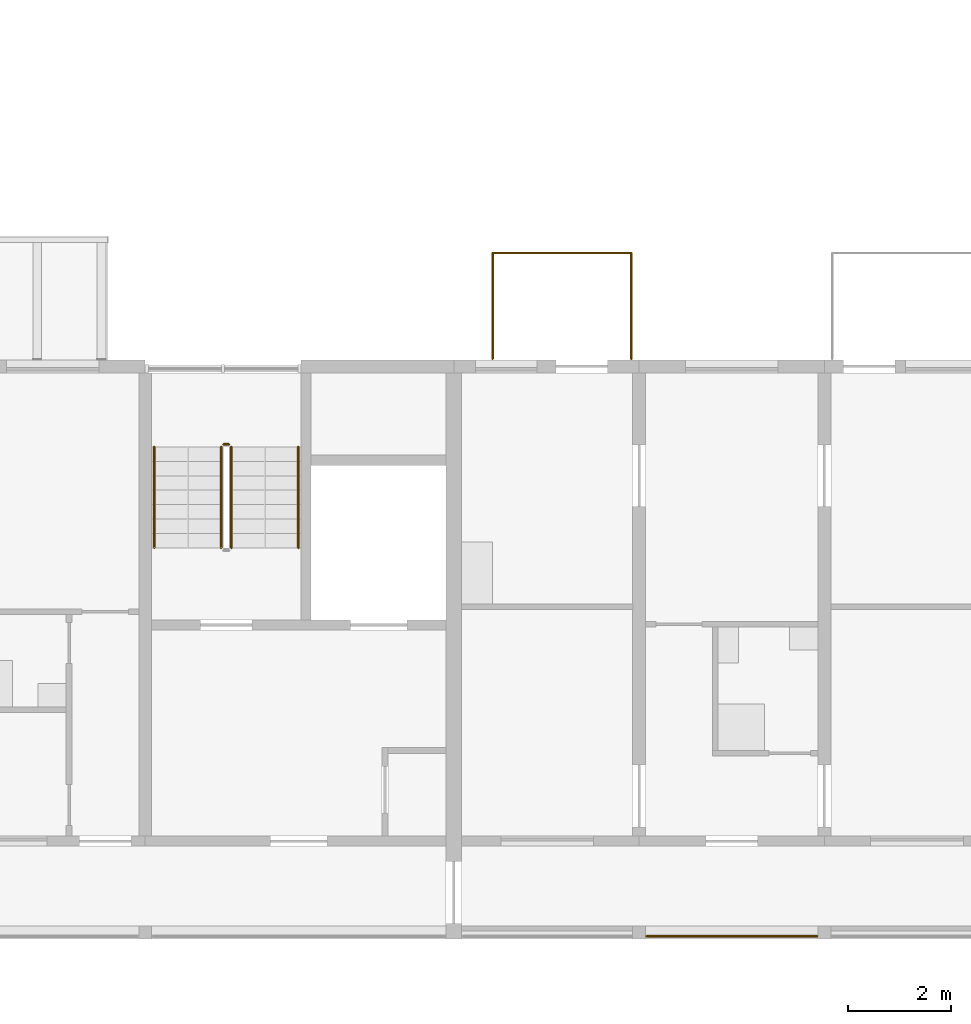
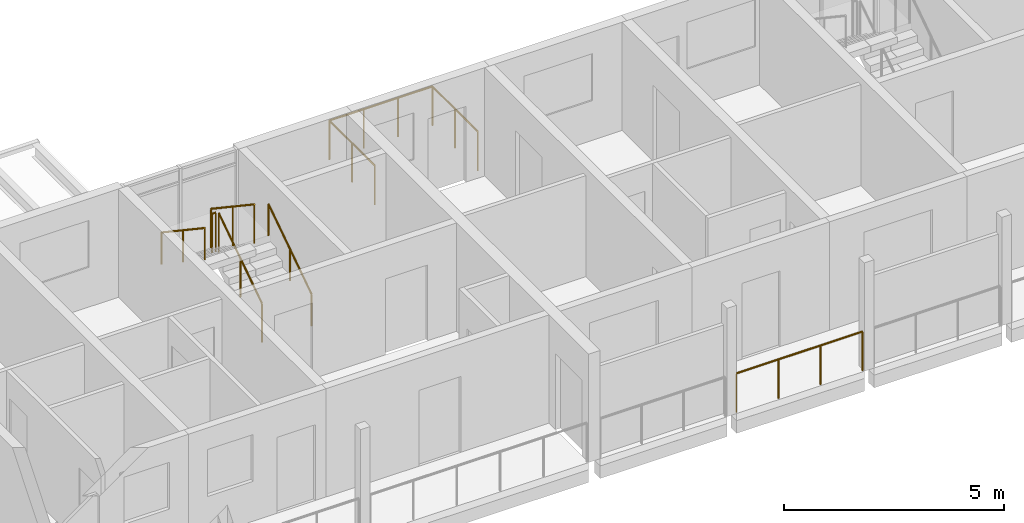
# One storey, part 88 of 100: 7 railings.
"""IFC4 building model written with IfcOpenShell, lengths in metres."""

import ifcopenshell
import ifcopenshell.guid

model = None  # the IFC model being written
_history = None  # IfcOwnerHistory: only IFC2X3 demands one
_inside = {}  # id of a spatial element -> (the spatial element, [elements in it])
_under = {}  # id of a project, library or spatial element -> (it, [spatial elements below it])
_declared = {}  # id of a project -> (the project, [libraries it declares])
_typed = {}  # id of a type object -> (the type object, [elements of that type])
_made_of = {}  # id of a material, layer set ... -> (it, [elements and type objects made of it])


def new_model(schema):
    """Start an empty IFC model of exactly this schema.

    Asked for "IFC4X3", IfcOpenShell would pick the latest addendum, in which some entities
    have other attributes; the version numbers below select the first issue.
    IFC2X3 requires an IfcOwnerHistory on every rooted entity: one is made here for all.
    """
    global model, _history
    if schema == "IFC4X3":
        model = ifcopenshell.file(schema_version=(4, 3, 0, 0))
    else:
        model = ifcopenshell.file(schema=schema)
    _inside.clear()
    _under.clear()
    _declared.clear()
    _typed.clear()
    _made_of.clear()
    _history = None
    if model.schema == "IFC2X3":
        org = make("IfcOrganization", Name="unknown")
        user = make(
            "IfcPersonAndOrganization",
            ThePerson=make("IfcPerson", FamilyName="unknown"),
            TheOrganization=org,
        )
        app = make(
            "IfcApplication",
            ApplicationDeveloper=org,
            Version="unknown",
            ApplicationFullName="unknown",
            ApplicationIdentifier="unknown",
        )
        _history = make(
            "IfcOwnerHistory",
            OwningUser=user,
            OwningApplication=app,
            ChangeAction="ADDED",
            CreationDate=0,
        )
    return model


def make(cls, **values):
    """One entity of the class cls with the attributes given. An attribute that is None is left unset."""
    return model.create_entity(
        cls, **{name: value for name, value in values.items() if value is not None}
    )


def rooted(cls, **values):
    """An entity with a GlobalId (a new one), such as an element, a storey or a relation."""
    return make(cls, GlobalId=ifcopenshell.guid.new(), OwnerHistory=_history, **values)


def si_unit(unit_type, name, prefix=None):
    """IfcSIUnit, for example si_unit("LENGTHUNIT", "METRE", prefix="MILLI")."""
    return make("IfcSIUnit", UnitType=unit_type, Prefix=prefix, Name=name)


def assignment(units):
    """IfcUnitAssignment: the units of a project."""
    return None if units is None else make("IfcUnitAssignment", Units=units)


def point(xyz):
    """IfcCartesianPoint."""
    return None if xyz is None else make("IfcCartesianPoint", Coordinates=xyz)


def direction(xyz):
    """IfcDirection."""
    return None if xyz is None else make("IfcDirection", DirectionRatios=xyz)


def frame(location, z_axis=None, x_axis=None):
    """IfcAxis2Placement3D, a coordinate frame: its origin and axes. An axis left out is left unset."""
    return make(
        "IfcAxis2Placement3D",
        Location=point(location),
        Axis=direction(z_axis),
        RefDirection=direction(x_axis),
    )


def frame_2d(location, x_axis=None):
    """IfcAxis2Placement2D, a coordinate frame in the plane: its origin and x axis."""
    return make(
        "IfcAxis2Placement2D", Location=point(location), RefDirection=direction(x_axis)
    )


def origin():
    """The frame at (0, 0, 0) with its axes left unset."""
    return frame((0.0, 0.0, 0.0))


def origin_2d():
    """The frame at (0, 0) in the plane with its x axis left unset."""
    return frame_2d((0.0, 0.0))


def place(relative_to, where):
    """IfcLocalPlacement: puts the frame where relative to a parent placement (None: the world)."""
    return make(
        "IfcLocalPlacement", PlacementRelTo=relative_to, RelativePlacement=where
    )


def context(
    kind, dimensions, precision=None, world=None, true_north=None, identifier=None
):
    """IfcGeometricRepresentationContext, for example the 3D "Model" context."""
    return make(
        "IfcGeometricRepresentationContext",
        ContextIdentifier=identifier,
        ContextType=kind,
        CoordinateSpaceDimension=dimensions,
        Precision=precision,
        WorldCoordinateSystem=world,
        TrueNorth=true_north,
    )


def subcontext(parent, identifier, kind, view, scale=None):
    """IfcGeometricRepresentationSubContext, for example "Body" below "Model"."""
    return make(
        "IfcGeometricRepresentationSubContext",
        ContextIdentifier=identifier,
        ContextType=kind,
        ParentContext=parent,
        TargetScale=scale,
        TargetView=view,
    )


def project(units=None, contexts=None):
    """IfcProject with its units and contexts."""
    return rooted(
        "IfcProject",
        Name="project",
        RepresentationContexts=contexts,
        UnitsInContext=assignment(units),
    )


def spatial(cls, under=None, at=None, **own):
    """A site, building, storey or space (cls), placed at a placement, below another one or the project."""
    s = rooted(cls, ObjectPlacement=at, **own)
    if under is not None:
        _under.setdefault(under.id(), (under, []))[1].append(s)
    return s


def profile(cls, at=None, kind="AREA", **sizes):
    """A parametric profile (cls). Its sizes go by their IFC names, for example OverallWidth=200.0."""
    return make(cls, ProfileType=kind, Position=at, **sizes)


def circle(**sizes):
    """IfcCircleProfileDef."""
    return profile("IfcCircleProfileDef", **sizes)


def extrude(swept, where, along, depth):
    """IfcExtrudedAreaSolid: the profile swept, set in the frame where, extruded along a direction by depth."""
    return make(
        "IfcExtrudedAreaSolid",
        SweptArea=swept,
        Position=where,
        ExtrudedDirection=direction(along),
        Depth=depth,
    )


def shape(context_of_items, identifier, shape_type, items):
    """IfcShapeRepresentation: the items that make up one representation, for example the "Body"."""
    return make(
        "IfcShapeRepresentation",
        ContextOfItems=context_of_items,
        RepresentationIdentifier=identifier,
        RepresentationType=shape_type,
        Items=items,
    )


def material(Name=None, Category=None):
    """IfcMaterial."""
    return make("IfcMaterial", Name=Name, Category=Category)


def made_of(thing, what):
    """Note that an element or type object is made of a material, layer set ...; save() writes the relation."""
    if what is not None:
        _made_of.setdefault(what.id(), (what, []))[1].append(thing)
    return thing


def type_object(cls, material=None, **own):
    """A type object (cls), such as IfcWallType, which elements share."""
    return made_of(rooted(cls, **own), material)


def element(
    cls,
    number,
    at=None,
    inside=None,
    cuts=None,
    type_object=None,
    material=None,
    context=None,
    identifier="Body",
    shape_type=None,
    held_by="IfcProductDefinitionShape",
    body=None,
    shapes=None,
    **own,
):
    """One element of the class cls, such as IfcWall. Its Tag is "e" and its number.

    at: its placement. inside: the storey or other place that contains it. cuts: it is an
    opening in that element (IfcRelVoidsElement). A single representation is given by context,
    identifier, shape_type and body (its items); several are given by shapes. held_by: the class
    of the entity that holds the representations. save() writes the other relations.
    """
    e = rooted(cls, Tag="e%d" % number, ObjectPlacement=at, **own)
    if body is not None:
        shapes = [shape(context, identifier, shape_type, body)]
    if shapes is not None:
        e.Representation = make(held_by, Representations=shapes)
    if inside is not None:
        _inside.setdefault(inside.id(), (inside, []))[1].append(e)
    if cuts is not None:
        rooted(
            "IfcRelVoidsElement", RelatingBuildingElement=cuts, RelatedOpeningElement=e
        )
    if type_object is not None:
        _typed.setdefault(type_object.id(), (type_object, []))[1].append(e)
    return made_of(e, material)


def aggregate(whole, parts):
    """IfcRelAggregates: a whole, such as a stair, and the parts it consists of."""
    return rooted("IfcRelAggregates", RelatingObject=whole, RelatedObjects=parts)


def save(model, path):
    """Write the relations noted so far, then the file.

    IfcRelAggregates (storeys below a building ...), IfcRelContainedInSpatialStructure (elements
    in a storey), IfcRelDefinesByType, IfcRelAssociatesMaterial and IfcRelDeclares: one each for
    every whole, place, type object, material and project.
    """
    for whole, parts in _under.values():
        aggregate(whole, parts)
    for where, things in _inside.values():
        rooted(
            "IfcRelContainedInSpatialStructure",
            RelatedElements=things,
            RelatingStructure=where,
        )
    for kind, things in _typed.values():
        rooted("IfcRelDefinesByType", RelatedObjects=things, RelatingType=kind)
    for what, things in _made_of.values():
        rooted("IfcRelAssociatesMaterial", RelatedObjects=things, RelatingMaterial=what)
    for by, libraries in _declared.values():
        rooted("IfcRelDeclares", RelatingContext=by, RelatedDefinitions=libraries)
    model.write(path)


model = new_model("IFC4")

# Units and contexts
model_context = context("Model", 3, precision=1e-05, world=origin(), true_north=direction((0.0, 1.0)))
body_context = subcontext(model_context, "Body", "Model", "MODEL_VIEW")
ifc_project = project(units=[si_unit("LENGTHUNIT", "METRE"), si_unit("AREAUNIT", "SQUARE_METRE"), si_unit("VOLUMEUNIT", "CUBIC_METRE"), si_unit("PLANEANGLEUNIT", "RADIAN"), si_unit("MASSUNIT", "GRAM", prefix="KILO")], contexts=[model_context])

# Site, building, storey
site_placement = place(None, origin())
site = spatial("IfcSite", under=ifc_project, at=site_placement, CompositionType="ELEMENT")
building_placement = place(site_placement, origin())
building = spatial("IfcBuilding", under=site, at=building_placement, Name="Ridgestep Commons", CompositionType="ELEMENT")
storey_placement = place(building_placement, frame((0.0, 0.0, 9.0)))
storey = spatial("IfcBuildingStorey", under=building, at=storey_placement, Name="L03", CompositionType="ELEMENT", Elevation=9.0)

# Railings
ifc_material_1 = material(Name="Structural steel S355JR", Category="steel")
railing_type_1 = type_object("IfcRailingType", Name="Guard 1100", PredefinedType="GUARDRAIL", material=ifc_material_1)
railing_1_placement = place(storey_placement, frame((200.946044921875, 11.800048828125, 0.0)))
element("IfcRailing", 1, at=railing_1_placement, inside=storey, type_object=railing_type_1, Name="Gallery guard D 03.14", PredefinedType="GUARDRAIL", context=body_context, shape_type="SweptSolid", body=[
    extrude(circle(Radius=0.02392578125, at=origin_2d()), frame((0.0, 0.0, 1.076171875), z_axis=(1.0, 0.0, 0.0), x_axis=(0.0, 1.0, 0.0)), (0.0, 0.0, 1.0), 3.307861328125),
    extrude(circle(Radius=0.02099609375, at=origin_2d()), origin(), (0.0, 0.0, 1.0), 1.052001953125),
    extrude(circle(Radius=0.02099609375, at=origin_2d()), frame((1.1025390625, 0.0, 0.0)), (0.0, 0.0, 1.0), 1.052001953125),
    extrude(circle(Radius=0.02099609375, at=origin_2d()), frame((2.205322265625, 0.0, 0.0)), (0.0, 0.0, 1.0), 1.052001953125),
    extrude(circle(Radius=0.02099609375, at=origin_2d()), frame((3.307861328125, 0.0, 0.0)), (0.0, 0.0, 1.0), 1.052001953125),
])
ifc_material_2 = material(Name="Structural steel S355JR", Category="steel")
railing_type_2 = type_object("IfcRailingType", Name="Stair guard 1100", PredefinedType="GUARDRAIL", material=ifc_material_2)
railing_2_placement = place(storey_placement, frame((192.875, 19.35009765625, 0.1875)))
element("IfcRailing", 2, at=railing_2_placement, inside=storey, type_object=railing_type_2, Name="L03 D3C stair guard 1", PredefinedType="GUARDRAIL", context=body_context, shape_type="SweptSolid", body=[
    extrude(circle(Radius=0.02392578125, at=origin_2d()), frame((0.0, 0.0, 1.076171875), z_axis=(0.0, 0.830902050051, 0.556418712142), x_axis=(-1.0, 0.0, 0.0)), (0.0, 0.0, 1.0), 2.35888671875),
    extrude(circle(Radius=0.02099609375, at=origin_2d()), origin(), (0.0, 0.0, 1.0), 1.052001953125),
    extrude(circle(Radius=0.02099609375, at=origin_2d()), frame((0.0, 0.97998046875, 0.65625)), (0.0, 0.0, 1.0), 1.052001953125),
    extrude(circle(Radius=0.02099609375, at=origin_2d()), frame((0.0, 1.9599609375, 1.3125)), (0.0, 0.0, 1.0), 1.052001953125),
])
railing_3_placement = place(storey_placement, frame((192.824951171875, 21.360107421875, 1.5)))
element("IfcRailing", 3, at=railing_3_placement, inside=storey, type_object=railing_type_2, Name="L03 D3C stair guard 2", PredefinedType="GUARDRAIL", context=body_context, shape_type="SweptSolid", body=[
    extrude(circle(Radius=0.02392578125, at=origin_2d()), frame((0.0, 0.0, 1.076171875), z_axis=(-1.0, 0.0, 0.0), x_axis=(0.0, -1.0, 0.0)), (0.0, 0.0, 1.0), 0.099853515625),
    extrude(circle(Radius=0.02099609375, at=origin_2d()), origin(), (0.0, 0.0, 1.0), 1.052001953125),
    extrude(circle(Radius=0.02099609375, at=origin_2d()), frame((-0.099853515625, 0.0, 0.0)), (0.0, 0.0, 1.0), 1.052001953125),
])
railing_4_placement = place(storey_placement, frame((192.675048828125, 21.31005859375, 1.6875)))
element("IfcRailing", 4, at=railing_4_placement, inside=storey, type_object=railing_type_2, Name="L03 D3C stair guard 3", PredefinedType="GUARDRAIL", context=body_context, shape_type="SweptSolid", body=[
    extrude(circle(Radius=0.02392578125, at=origin_2d()), frame((0.0, 0.0, 1.076171875), z_axis=(0.0, -0.830902050051, 0.556418712142), x_axis=(1.0, 0.0, 0.0)), (0.0, 0.0, 1.0), 2.35888671875),
    extrude(circle(Radius=0.02099609375, at=origin_2d()), origin(), (0.0, 0.0, 1.0), 1.052001953125),
    extrude(circle(Radius=0.02099609375, at=origin_2d()), frame((0.0, -0.97998046875, 0.65625)), (0.0, 0.0, 1.0), 1.052001953125),
    extrude(circle(Radius=0.02099609375, at=origin_2d()), frame((0.0, -1.9599609375, 1.3125)), (0.0, 0.0, 1.0), 1.052001953125),
])
ifc_material_3 = material(Name="Structural steel S355JR", Category="steel")
railing_type_3 = type_object("IfcRailingType", Name="Stair handrail 900", PredefinedType="HANDRAIL", material=ifc_material_3)
railing_5_placement = place(storey_placement, frame((194.175048828125, 19.35009765625, 0.1875)))
element("IfcRailing", 5, at=railing_5_placement, inside=storey, type_object=railing_type_3, Name="L03 D3C stair handrail 1", PredefinedType="HANDRAIL", context=body_context, shape_type="SweptSolid", body=[
    extrude(circle(Radius=0.02392578125, at=origin_2d()), frame((0.0, 0.0, 0.8759765625), z_axis=(0.0, 0.830902050051, 0.556418712142), x_axis=(-1.0, 0.0, 0.0)), (0.0, 0.0, 1.0), 2.35888671875),
    extrude(circle(Radius=0.02099609375, at=origin_2d()), origin(), (0.0, 0.0, 1.0), 0.851806640625),
    extrude(circle(Radius=0.02099609375, at=origin_2d()), frame((0.0, 0.97998046875, 0.65625)), (0.0, 0.0, 1.0), 0.851806640625),
    extrude(circle(Radius=0.02099609375, at=origin_2d()), frame((0.0, 1.9599609375, 1.3125)), (0.0, 0.0, 1.0), 0.851806640625),
])
railing_6_placement = place(storey_placement, frame((191.375, 21.31005859375, 1.6875)))
element("IfcRailing", 6, at=railing_6_placement, inside=storey, type_object=railing_type_3, Name="L03 D3C stair handrail 2", PredefinedType="HANDRAIL", context=body_context, shape_type="SweptSolid", body=[
    extrude(circle(Radius=0.02392578125, at=origin_2d()), frame((0.0, 0.0, 0.8759765625), z_axis=(0.0, -0.830902050051, 0.556418712142), x_axis=(1.0, 0.0, 0.0)), (0.0, 0.0, 1.0), 2.35888671875),
    extrude(circle(Radius=0.02099609375, at=origin_2d()), origin(), (0.0, 0.0, 1.0), 0.851806640625),
    extrude(circle(Radius=0.02099609375, at=origin_2d()), frame((0.0, -0.97998046875, 0.65625)), (0.0, 0.0, 1.0), 0.851806640625),
    extrude(circle(Radius=0.02099609375, at=origin_2d()), frame((0.0, -1.9599609375, 1.3125)), (0.0, 0.0, 1.0), 0.851806640625),
])
ifc_material_4 = material(Name="Weathering steel S355J2W", Category="steel")
railing_type_4 = type_object("IfcRailingType", Name="Tray guard 1100", PredefinedType="GUARDRAIL", material=ifc_material_4)
railing_7_placement = place(storey_placement, frame((197.950927734375, 23.02099609375, 0.0)))
element("IfcRailing", 7, at=railing_7_placement, inside=storey, type_object=railing_type_4, Name="Tray guard D4T1-03", PredefinedType="GUARDRAIL", context=body_context, shape_type="SweptSolid", body=[
    extrude(circle(Radius=0.02392578125, at=origin_2d()), frame((0.0, 0.0, 1.076171875), z_axis=(0.0, 1.0, 0.0), x_axis=(-1.0, 0.0, 0.0)), (0.0, 0.0, 1.0), 2.05810546875),
    extrude(circle(Radius=0.02392578125, at=origin_2d()), frame((0.0, 2.05810546875, 1.076171875), z_axis=(1.0, 0.0, 0.0), x_axis=(0.0, 1.0, 0.0)), (0.0, 0.0, 1.0), 2.697998046875),
    extrude(circle(Radius=0.02392578125, at=origin_2d()), frame((2.697998046875, 2.05810546875, 1.076171875), z_axis=(0.0, -1.0, 0.0), x_axis=(1.0, 0.0, 0.0)), (0.0, 0.0, 1.0), 2.05810546875),
    extrude(circle(Radius=0.02099609375, at=origin_2d()), origin(), (0.0, 0.0, 1.0), 1.052001953125),
    extrude(circle(Radius=0.02099609375, at=origin_2d()), frame((0.0, 1.029052734375, 0.0)), (0.0, 0.0, 1.0), 1.052001953125),
    extrude(circle(Radius=0.02099609375, at=origin_2d()), frame((0.0, 2.05810546875, 0.0)), (0.0, 0.0, 1.0), 1.052001953125),
    extrude(circle(Radius=0.02099609375, at=origin_2d()), frame((0.8994140625, 2.05810546875, 0.0)), (0.0, 0.0, 1.0), 1.052001953125),
    extrude(circle(Radius=0.02099609375, at=origin_2d()), frame((1.798583984375, 2.05810546875, 0.0)), (0.0, 0.0, 1.0), 1.052001953125),
    extrude(circle(Radius=0.02099609375, at=origin_2d()), frame((2.697998046875, 2.05810546875, 0.0)), (0.0, 0.0, 1.0), 1.052001953125),
    extrude(circle(Radius=0.02099609375, at=origin_2d()), frame((2.697998046875, 1.029052734375, 0.0)), (0.0, 0.0, 1.0), 1.052001953125),
    extrude(circle(Radius=0.02099609375, at=origin_2d()), frame((2.697998046875, 0.0, 0.0)), (0.0, 0.0, 1.0), 1.052001953125),
])

save(model, "model.ifc")
